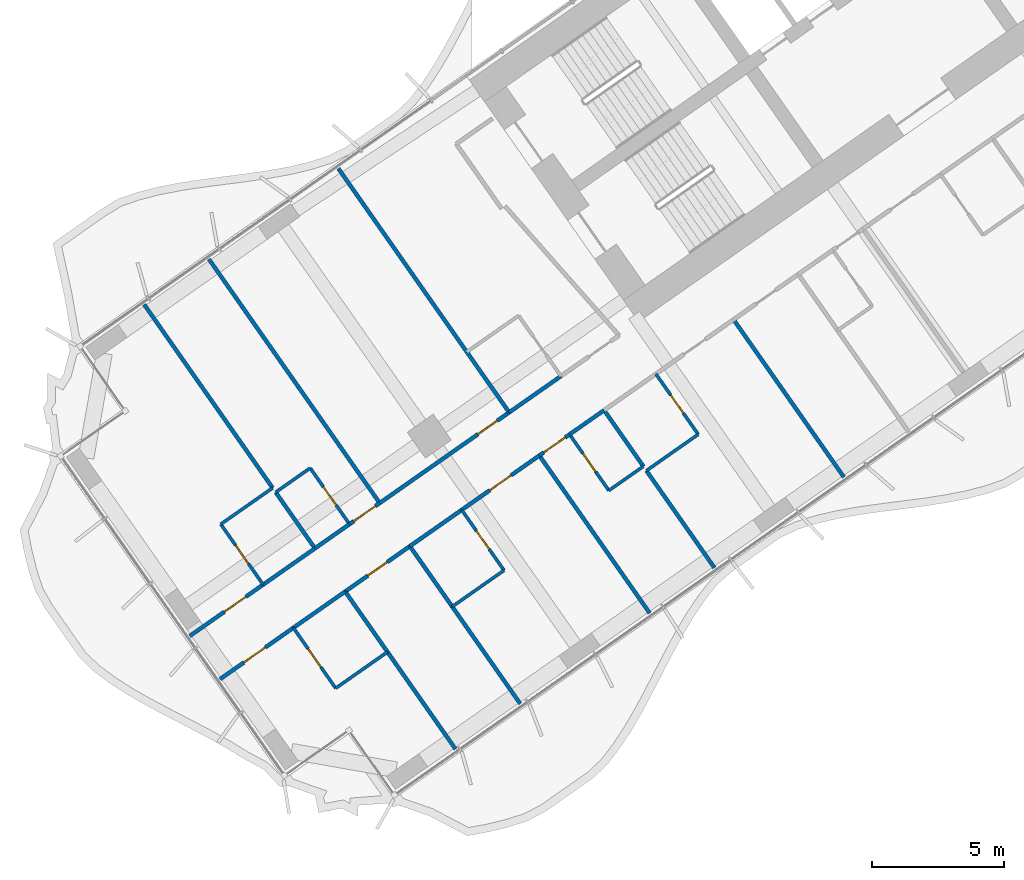
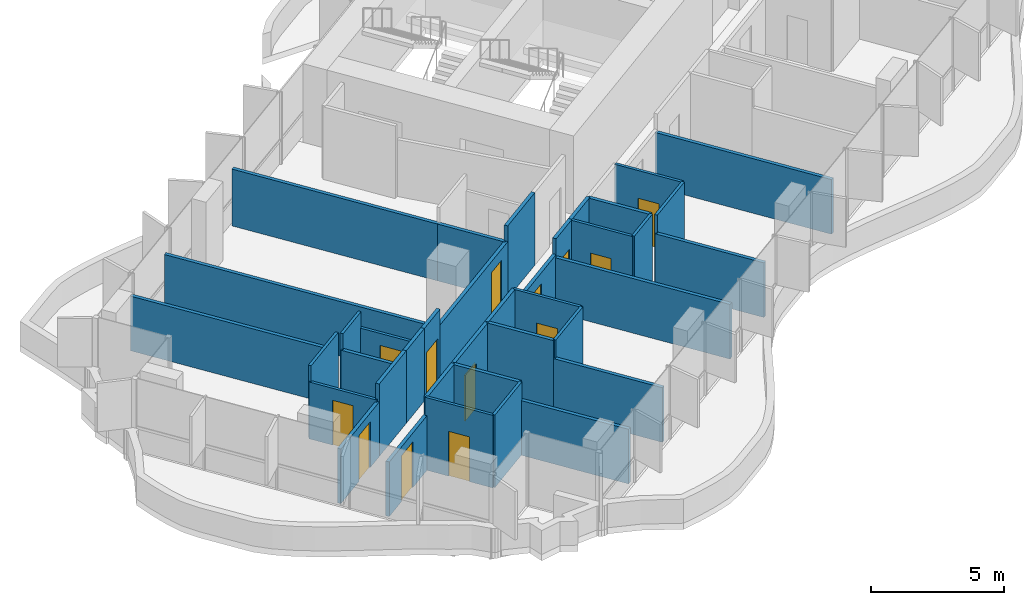
# One storey, part 13 of 25: 38 walls, 13 doors, 13 openings.
"""IFC4 building model written with IfcOpenShell, lengths in metres."""

from ifc_helpers import new_model, si_unit, direction, frame, frame_2d, origin, place, context, subcontext, project, spatial, rectangle, extrude, material, layer, layer_set, type_object, element, fill, save


model = new_model("IFC4")

# Units and contexts
model_context = context("Model", 3, precision=1e-05, world=origin(), true_north=direction((0.0, 1.0)))
body_context = subcontext(model_context, "Body", "Model", "MODEL_VIEW")
ifc_project = project(units=[si_unit("LENGTHUNIT", "METRE"), si_unit("AREAUNIT", "SQUARE_METRE"), si_unit("VOLUMEUNIT", "CUBIC_METRE"), si_unit("PLANEANGLEUNIT", "RADIAN"), si_unit("MASSUNIT", "GRAM", prefix="KILO")], contexts=[model_context])

# Site, building, storey
site_placement = place(None, origin())
site = spatial("IfcSite", under=ifc_project, at=site_placement, CompositionType="ELEMENT")
building_placement = place(site_placement, origin())
building = spatial("IfcBuilding", under=site, at=building_placement, Name="Tel Ilan Convention Tower", CompositionType="ELEMENT")
storey_placement = place(building_placement, frame((0.0, 0.0, 54.5)))
storey = spatial("IfcBuildingStorey", under=building, at=storey_placement, Name="L08", CompositionType="ELEMENT", Elevation=54.5)

# Wall
ifc_material_1 = material(Name="Plasterboard on Steel Studs", Category="steel")
ifc_layer_1 = layer(ifc_material_1, 0.14990234375)
ifc_layer_set_1 = layer_set([ifc_layer_1], Name="Fire-rated Partition 150 EI 60")
wall_type_1 = type_object("IfcWallType", Name="Fire-rated Partition 150 EI 60", PredefinedType="PARTITIONING", material=ifc_layer_set_1)
wall_1_placement = place(storey_placement, frame((-26.460205078125, -19.748291015625, 0.0), z_axis=(0.0, 0.0, 1.0), x_axis=(0.819179439794, 0.573537309527, 0.0)))
element("IfcWall", 1, at=wall_1_placement, inside=storey, type_object=wall_type_1, Name="Partition 029", PredefinedType="PARTITIONING", context=body_context, shape_type="SweptSolid", body=[
    extrude(rectangle(XDim=2.404296875, YDim=0.14990234375, at=frame_2d((1.2021484375, 0.0))), origin(), (0.0, 0.0, 1.0), 3.320068359375),
])

# Wall, opening, door
wall_2_placement = place(storey_placement, frame((-31.375, -23.189697265625, 0.0), z_axis=(0.0, 0.0, 1.0), x_axis=(0.819165052243, 0.573557858619, 0.0)))
wall_2 = element("IfcWall", 2, at=wall_2_placement, inside=storey, type_object=wall_type_1, Name="Partition 030", PredefinedType="PARTITIONING", context=body_context, shape_type="SweptSolid", body=[
    extrude(rectangle(XDim=6.00390625, YDim=0.14990234375, at=frame_2d((3.001953125, 0.0))), origin(), (0.0, 0.0, 1.0), 2.60009765625),
])
opening_1_placement = place(wall_2_placement, frame((4.552001953125, 0.0, 0.0)))
opening_1 = element("IfcOpeningElement", 3, at=opening_1_placement, cuts=wall_2, Name="Opening L08-019", PredefinedType="OPENING", context=body_context, shape_type="SweptSolid", body=[
    extrude(rectangle(XDim=0.89990234375, YDim=2.10009765625, at=frame_2d((0.449951171875, 1.050048828125))), frame((0.0, 0.0849609375, 0.0), z_axis=(0.0, -1.0, 0.0), x_axis=(1.0, 0.0, 0.0)), (0.0, 0.0, 1.0), 0.169921875),
])
ifc_material_2 = material(Name="Timber Door Leaf in Steel Frame", Category="steel")
door_type_1 = type_object("IfcDoorType", Name="Room Fire Door 900x2100", OperationType="NOTDEFINED", PredefinedType="DOOR", material=ifc_material_2)
door_1_placement = place(opening_1_placement, origin())
door_1 = element("IfcDoor", 4, at=door_1_placement, inside=storey, type_object=door_type_1, Name="Door L08-019", OperationType="SINGLE_SWING_LEFT", OverallHeight=2.10009765625, OverallWidth=0.89990234375, PredefinedType="DOOR", context=body_context, shape_type="SweptSolid", body=[
    extrude(rectangle(XDim=0.89990234375, YDim=2.10009765625, at=frame_2d((0.449951171875, 1.050048828125))), frame((0.0, 0.02490234375, 0.0), z_axis=(0.0, -1.0, 0.0), x_axis=(1.0, 0.0, 0.0)), (0.0, 0.0, 1.0), 0.050048828125),
])
fill(opening_1, door_1)

wall_3_placement = place(storey_placement, frame((-32.52099609375, -23.9921875, 0.0), z_axis=(0.0, 0.0, 1.0), x_axis=(0.819199220913, 0.573509055252, 0.0)))
wall_3 = element("IfcWall", 5, at=wall_3_placement, inside=storey, type_object=wall_type_1, Name="Partition 031", PredefinedType="PARTITIONING", context=body_context, shape_type="SweptSolid", body=[
    extrude(rectangle(XDim=1.403076171875, YDim=0.14990234375, at=frame_2d((0.70166015625, 0.0))), origin(), (0.0, 0.0, 1.0), 3.320068359375),
])
opening_2_placement = place(wall_3_placement, frame((0.200927734375, 0.0, 0.0)))
opening_2 = element("IfcOpeningElement", 6, at=opening_2_placement, cuts=wall_3, Name="Opening L08-021", PredefinedType="OPENING", context=body_context, shape_type="SweptSolid", body=[
    extrude(rectangle(XDim=1.0, YDim=2.10009765625, at=frame_2d((0.5, 1.050048828125))), frame((0.0, 0.0849609375, 0.0), z_axis=(0.0, -1.0, 0.0), x_axis=(1.0, 0.0, 0.0)), (0.0, 0.0, 1.0), 0.169921875),
])
ifc_material_3 = material(Name="Timber Door Leaf in Steel Frame", Category="steel")
door_type_2 = type_object("IfcDoorType", Name="Hotel Room Entrance Fire Door 1000x2100", OperationType="NOTDEFINED", PredefinedType="DOOR", material=ifc_material_3)
door_2_placement = place(opening_2_placement, origin())
door_2 = element("IfcDoor", 7, at=door_2_placement, inside=storey, type_object=door_type_2, Name="Door L08-021", OperationType="SINGLE_SWING_RIGHT", OverallHeight=2.10009765625, OverallWidth=1.0, PredefinedType="DOOR", context=body_context, shape_type="SweptSolid", body=[
    extrude(rectangle(XDim=1.0, YDim=2.10009765625, at=frame_2d((0.5, 1.050048828125))), frame((0.0, 0.02490234375, 0.0), z_axis=(0.0, -1.0, 0.0), x_axis=(1.0, 0.0, 0.0)), (0.0, 0.0, 1.0), 0.050048828125),
])
fill(opening_2, door_2)

# Wall
wall_4_placement = place(storey_placement, frame((-33.83251953125, -24.910400390625, 0.0), z_axis=(0.0, 0.0, 1.0), x_axis=(0.819189013667, 0.573523634986, 0.0)))
element("IfcWall", 8, at=wall_4_placement, inside=storey, type_object=wall_type_1, Name="Partition 032", PredefinedType="PARTITIONING", context=body_context, shape_type="SweptSolid", body=[
    extrude(rectangle(XDim=1.60400390625, YDim=0.14990234375, at=frame_2d((0.802001953125, 0.0))), origin(), (0.0, 0.0, 1.0), 3.320068359375),
])

# Wall, opening, door
wall_5_placement = place(storey_placement, frame((-38.581787109375, -28.236083984375, 0.0), z_axis=(0.0, 0.0, 1.0), x_axis=(0.819154345195, 0.573573150303, 0.0)))
wall_5 = element("IfcWall", 9, at=wall_5_placement, inside=storey, type_object=wall_type_1, Name="Partition 033", PredefinedType="PARTITIONING", context=body_context, shape_type="SweptSolid", body=[
    extrude(rectangle(XDim=3.40087890625, YDim=0.14990234375, at=frame_2d((1.700439453125, 0.0))), origin(), (0.0, 0.0, 1.0), 2.5),
])
opening_3_placement = place(wall_5_placement, frame((1.60009765625, 0.0, 0.0)))
opening_3 = element("IfcOpeningElement", 10, at=opening_3_placement, cuts=wall_5, Name="Opening L08-023", PredefinedType="OPENING", context=body_context, shape_type="SweptSolid", body=[
    extrude(rectangle(XDim=1.0, YDim=2.10009765625, at=frame_2d((0.5, 1.050048828125))), frame((0.0, 0.0849609375, 0.0), z_axis=(0.0, -1.0, 0.0), x_axis=(1.0, 0.0, 0.0)), (0.0, 0.0, 1.0), 0.169921875),
])
door_3_placement = place(opening_3_placement, origin())
door_3 = element("IfcDoor", 11, at=door_3_placement, inside=storey, type_object=door_type_2, Name="Door L08-023", OperationType="SINGLE_SWING_LEFT", OverallHeight=2.10009765625, OverallWidth=1.0, PredefinedType="DOOR", context=body_context, shape_type="SweptSolid", body=[
    extrude(rectangle(XDim=1.0, YDim=2.10009765625, at=frame_2d((0.5, 1.050048828125))), frame((0.0, 0.02490234375, 0.0), z_axis=(0.0, -1.0, 0.0), x_axis=(1.0, 0.0, 0.0)), (0.0, 0.0, 1.0), 0.050048828125),
])
fill(opening_3, door_3)

# Wall
wall_6_placement = place(storey_placement, frame((-35.79833984375, -26.287109375, 0.0), z_axis=(0.0, 0.0, 1.0), x_axis=(0.819146032251, 0.573585022335, 0.0)))
element("IfcWall", 12, at=wall_6_placement, inside=storey, type_object=wall_type_1, Name="Partition 034", PredefinedType="PARTITIONING", context=body_context, shape_type="SweptSolid", body=[
    extrude(rectangle(XDim=2.404052734375, YDim=0.14990234375, at=frame_2d((1.2021484375, 0.0))), origin(), (0.0, 0.0, 1.0), 3.320068359375),
])

# Wall, opening, door
wall_7_placement = place(storey_placement, frame((-24.163818359375, -20.581787109375, 0.0), z_axis=(0.0, 0.0, 1.0), x_axis=(-0.819060210533, -0.573707566205, 0.0)))
wall_7 = element("IfcWall", 13, at=wall_7_placement, inside=storey, type_object=wall_type_1, Name="Partition 044", PredefinedType="PARTITIONING", context=body_context, shape_type="SweptSolid", body=[
    extrude(rectangle(XDim=1.403076171875, YDim=0.14990234375, at=frame_2d((0.70166015625, 0.0))), origin(), (0.0, 0.0, 1.0), 3.320068359375),
])
opening_4_placement = place(wall_7_placement, frame((0.200927734375, 0.0, 0.0)))
opening_4 = element("IfcOpeningElement", 14, at=opening_4_placement, cuts=wall_7, Name="Opening L08-011", PredefinedType="OPENING", context=body_context, shape_type="SweptSolid", body=[
    extrude(rectangle(XDim=1.0, YDim=2.10009765625, at=frame_2d((0.5, 1.050048828125))), frame((0.0, 0.0849609375, 0.0), z_axis=(0.0, -1.0, 0.0), x_axis=(1.0, 0.0, 0.0)), (0.0, 0.0, 1.0), 0.169921875),
])
door_4_placement = place(opening_4_placement, origin())
door_4 = element("IfcDoor", 15, at=door_4_placement, inside=storey, type_object=door_type_2, Name="Door L08-011", OperationType="SINGLE_SWING_RIGHT", OverallHeight=2.10009765625, OverallWidth=1.0, PredefinedType="DOOR", context=body_context, shape_type="SweptSolid", body=[
    extrude(rectangle(XDim=1.0, YDim=2.10009765625, at=frame_2d((0.5, 1.050048828125))), frame((0.0, 0.02490234375, 0.0), z_axis=(0.0, -1.0, 0.0), x_axis=(1.0, 0.0, 0.0)), (0.0, 0.0, 1.0), 0.050048828125),
])
fill(opening_4, door_4)

# Wall
wall_8_placement = place(storey_placement, frame((-22.852294921875, -19.66357421875, 0.0), z_axis=(0.0, 0.0, 1.0), x_axis=(-0.819138938282, -0.573595153214, 0.0)))
element("IfcWall", 16, at=wall_8_placement, inside=storey, type_object=wall_type_1, Name="Partition 045", PredefinedType="PARTITIONING", context=body_context, shape_type="SweptSolid", body=[
    extrude(rectangle(XDim=1.603759765625, YDim=0.14990234375, at=frame_2d((0.8017578125, 0.0))), origin(), (0.0, 0.0, 1.0), 3.320068359375),
])

# Wall, opening, door
wall_9_placement = place(storey_placement, frame((-25.3095703125, -21.38427734375, 0.0), z_axis=(0.0, 0.0, 1.0), x_axis=(-0.819145961204, -0.573585123798, 0.0)))
wall_9 = element("IfcWall", 17, at=wall_9_placement, inside=storey, type_object=wall_type_1, Name="Partition 046", PredefinedType="PARTITIONING", context=body_context, shape_type="SweptSolid", body=[
    extrude(rectangle(XDim=3.60302734375, YDim=0.14990234375, at=frame_2d((1.801513671875, 0.0))), origin(), (0.0, 0.0, 1.0), 2.60009765625),
])
opening_5_placement = place(wall_9_placement, frame((1.302001953125, 0.0, 0.0)))
opening_5 = element("IfcOpeningElement", 18, at=opening_5_placement, cuts=wall_9, Name="Opening L08-013", PredefinedType="OPENING", context=body_context, shape_type="SweptSolid", body=[
    extrude(rectangle(XDim=1.0, YDim=2.10009765625, at=frame_2d((0.5, 1.050048828125))), frame((0.0, 0.0849609375, 0.0), z_axis=(0.0, -1.0, 0.0), x_axis=(1.0, 0.0, 0.0)), (0.0, 0.0, 1.0), 0.169921875),
])
door_5_placement = place(opening_5_placement, origin())
door_5 = element("IfcDoor", 19, at=door_5_placement, inside=storey, type_object=door_type_2, Name="Door L08-013", OperationType="SINGLE_SWING_LEFT", OverallHeight=2.10009765625, OverallWidth=1.0, PredefinedType="DOOR", context=body_context, shape_type="SweptSolid", body=[
    extrude(rectangle(XDim=1.0, YDim=2.10009765625, at=frame_2d((0.5, 1.050048828125))), frame((0.0, 0.02490234375, 0.0), z_axis=(0.0, -1.0, 0.0), x_axis=(1.0, 0.0, 0.0)), (0.0, 0.0, 1.0), 0.050048828125),
])
fill(opening_5, door_5)

# Wall
wall_10_placement = place(storey_placement, frame((-28.258544921875, -23.44921875, 0.0), z_axis=(0.0, 0.0, 1.0), x_axis=(-0.819146032251, -0.573585022335, 0.0)))
element("IfcWall", 20, at=wall_10_placement, inside=storey, type_object=wall_type_1, Name="Partition 047", PredefinedType="PARTITIONING", context=body_context, shape_type="SweptSolid", body=[
    extrude(rectangle(XDim=2.404052734375, YDim=0.14990234375, at=frame_2d((1.2021484375, 0.0))), origin(), (0.0, 0.0, 1.0), 3.320068359375),
])

# Wall, opening, door
wall_11_placement = place(storey_placement, frame((-30.224609375, -24.82568359375, 0.0), z_axis=(0.0, 0.0, 1.0), x_axis=(-0.819128818764, -0.573609604409, 0.0)))
wall_11 = element("IfcWall", 21, at=wall_11_placement, inside=storey, type_object=wall_type_1, Name="Partition 048", PredefinedType="PARTITIONING", context=body_context, shape_type="SweptSolid", body=[
    extrude(rectangle(XDim=3.004150390625, YDim=0.14990234375, at=frame_2d((1.501953125, 0.0))), origin(), (0.0, 0.0, 1.0), 3.320068359375),
])
opening_6_placement = place(wall_11_placement, frame((1.052001953125, 0.0, 0.0)))
opening_6 = element("IfcOpeningElement", 22, at=opening_6_placement, cuts=wall_11, Name="Opening L08-014", PredefinedType="OPENING", context=body_context, shape_type="SweptSolid", body=[
    extrude(rectangle(XDim=0.89990234375, YDim=2.10009765625, at=frame_2d((0.449951171875, 1.050048828125))), frame((0.0, 0.0849609375, 0.0), z_axis=(0.0, -1.0, 0.0), x_axis=(1.0, 0.0, 0.0)), (0.0, 0.0, 1.0), 0.169921875),
])
door_6_placement = place(opening_6_placement, origin())
door_6 = element("IfcDoor", 23, at=door_6_placement, inside=storey, type_object=door_type_1, Name="Door L08-014", OperationType="SINGLE_SWING_LEFT", OverallHeight=2.10009765625, OverallWidth=0.89990234375, PredefinedType="DOOR", context=body_context, shape_type="SweptSolid", body=[
    extrude(rectangle(XDim=0.89990234375, YDim=2.10009765625, at=frame_2d((0.449951171875, 1.050048828125))), frame((0.0, 0.02490234375, 0.0), z_axis=(0.0, -1.0, 0.0), x_axis=(1.0, 0.0, 0.0)), (0.0, 0.0, 1.0), 0.050048828125),
])
fill(opening_6, door_6)

wall_12_placement = place(storey_placement, frame((-34.648681640625, -27.923583984375, 0.0), z_axis=(0.0, 0.0, 1.0), x_axis=(-0.819144234337, -0.573587589957, 0.0)))
wall_12 = element("IfcWall", 24, at=wall_12_placement, inside=storey, type_object=wall_type_1, Name="Partition 049", PredefinedType="PARTITIONING", context=body_context, shape_type="SweptSolid", body=[
    extrude(rectangle(XDim=3.4013671875, YDim=0.14990234375, at=frame_2d((1.70068359375, 0.0))), origin(), (0.0, 0.0, 1.0), 2.5),
])
opening_7_placement = place(wall_12_placement, frame((1.301025390625, 0.0, 0.0)))
opening_7 = element("IfcOpeningElement", 25, at=opening_7_placement, cuts=wall_12, Name="Opening L08-016", PredefinedType="OPENING", context=body_context, shape_type="SweptSolid", body=[
    extrude(rectangle(XDim=1.0, YDim=2.10009765625, at=frame_2d((0.5, 1.050048828125))), frame((0.0, 0.0849609375, 0.0), z_axis=(0.0, -1.0, 0.0), x_axis=(1.0, 0.0, 0.0)), (0.0, 0.0, 1.0), 0.169921875),
])
door_7_placement = place(opening_7_placement, origin())
door_7 = element("IfcDoor", 26, at=door_7_placement, inside=storey, type_object=door_type_2, Name="Door L08-016", OperationType="SINGLE_SWING_RIGHT", OverallHeight=2.10009765625, OverallWidth=1.0, PredefinedType="DOOR", context=body_context, shape_type="SweptSolid", body=[
    extrude(rectangle(XDim=1.0, YDim=2.10009765625, at=frame_2d((0.5, 1.050048828125))), frame((0.0, 0.02490234375, 0.0), z_axis=(0.0, -1.0, 0.0), x_axis=(1.0, 0.0, 0.0)), (0.0, 0.0, 1.0), 0.050048828125),
])
fill(opening_7, door_7)

# Walls
wall_13_placement = place(storey_placement, frame((-32.681884765625, -26.54638671875, 0.0), z_axis=(0.0, 0.0, 1.0), x_axis=(-0.819179439794, -0.573537309527, 0.0)))
element("IfcWall", 27, at=wall_13_placement, inside=storey, type_object=wall_type_1, Name="Partition 050", PredefinedType="PARTITIONING", context=body_context, shape_type="SweptSolid", body=[
    extrude(rectangle(XDim=2.404296875, YDim=0.14990234375, at=frame_2d((1.2021484375, 0.0))), origin(), (0.0, 0.0, 1.0), 3.320068359375),
])
wall_14_placement = place(storey_placement, frame((-28.06494140625, -17.45263671875, 0.0), z_axis=(0.0, 0.0, 1.0), x_axis=(-0.573593433868, 0.819140142237, 0.0)))
element("IfcWall", 28, at=wall_14_placement, inside=storey, type_object=wall_type_1, Name="Partition 107", PredefinedType="PARTITIONING", context=body_context, shape_type="SweptSolid", body=[
    extrude(rectangle(XDim=8.4990234375, YDim=0.14990234375, at=frame_2d((4.24951171875, 0.0))), origin(), (0.0, 0.0, 1.0), 2.60009765625),
])
wall_15_placement = place(storey_placement, frame((-26.45849609375, -19.747314453125, 0.0), z_axis=(0.0, 0.0, 1.0), x_axis=(-0.573550118428, 0.819170471667, 0.0)))
element("IfcWall", 29, at=wall_15_placement, inside=storey, type_object=wall_type_1, Name="Partition 108", PredefinedType="PARTITIONING", context=body_context, shape_type="SweptSolid", body=[
    extrude(rectangle(XDim=2.800048828125, YDim=0.14990234375, at=frame_2d((1.39990234375, 0.0))), origin(), (0.0, 0.0, 1.0), 2.60009765625),
])
wall_16_placement = place(storey_placement, frame((-31.373291015625, -23.188720703125, 0.0), z_axis=(0.0, 0.0, 1.0), x_axis=(-0.573571089604, 0.819155788095, 0.0)))
element("IfcWall", 30, at=wall_16_placement, inside=storey, type_object=wall_type_1, Name="Partition 109", PredefinedType="PARTITIONING", context=body_context, shape_type="SweptSolid", body=[
    extrude(rectangle(XDim=11.300048828125, YDim=0.14990234375, at=frame_2d((5.64990234375, 0.0))), origin(), (0.0, 0.0, 1.0), 2.5),
])
wall_17_placement = place(storey_placement, frame((-35.436279296875, -22.61669921875, 0.0), z_axis=(0.0, 0.0, 1.0), x_axis=(-0.57356256513, 0.819161756848, 0.0)))
element("IfcWall", 31, at=wall_17_placement, inside=storey, type_object=wall_type_1, Name="Partition 112", PredefinedType="PARTITIONING", context=body_context, shape_type="SweptSolid", body=[
    extrude(rectangle(XDim=8.501220703125, YDim=0.14990234375, at=frame_2d((4.25048828125, 0.0))), origin(), (0.0, 0.0, 1.0), 2.5),
])
wall_18_placement = place(storey_placement, frame((-33.830810546875, -24.909423828125, 0.0), z_axis=(0.0, 0.0, 1.0), x_axis=(-0.573537965655, 0.819178980414, 0.0)))
element("IfcWall", 32, at=wall_18_placement, inside=storey, type_object=wall_type_1, Name="Partition 113", PredefinedType="PARTITIONING", context=body_context, shape_type="SweptSolid", body=[
    extrude(rectangle(XDim=2.60009765625, YDim=0.14990234375, at=frame_2d((1.300048828125, 0.0))), origin(), (0.0, 0.0, 1.0), 2.60009765625),
])
wall_19_placement = place(storey_placement, frame((-13.751708984375, -22.203125, 0.0), z_axis=(0.0, 0.0, 1.0), x_axis=(-0.573594765376, 0.819139209862, 0.0)))
element("IfcWall", 33, at=wall_19_placement, inside=storey, type_object=wall_type_1, Name="Partition 127", PredefinedType="PARTITIONING", context=body_context, shape_type="SweptSolid", body=[
    extrude(rectangle(XDim=7.300048828125, YDim=0.14990234375, at=frame_2d((3.64990234375, 0.0))), origin(), (0.0, 0.0, 1.0), 2.5),
])
wall_20_placement = place(storey_placement, frame((-18.666748046875, -25.64453125, 0.0), z_axis=(0.0, 0.0, 1.0), x_axis=(-0.573589807488, 0.819142681555, 0.0)))
element("IfcWall", 34, at=wall_20_placement, inside=storey, type_object=wall_type_1, Name="Partition 130", PredefinedType="PARTITIONING", context=body_context, shape_type="SweptSolid", body=[
    extrude(rectangle(XDim=4.4990234375, YDim=0.14990234375, at=frame_2d((2.24951171875, 0.0))), origin(), (0.0, 0.0, 1.0), 2.5),
])
wall_21_placement = place(storey_placement, frame((-21.361328125, -21.796142578125, 0.0), z_axis=(0.0, 0.0, 1.0), x_axis=(-0.573588285102, 0.819143747577, 0.0)))
element("IfcWall", 35, at=wall_21_placement, inside=storey, type_object=wall_type_1, Name="Partition 131", PredefinedType="PARTITIONING", context=body_context, shape_type="SweptSolid", body=[
    extrude(rectangle(XDim=2.601806640625, YDim=0.14990234375, at=frame_2d((1.30078125, 0.0))), origin(), (0.0, 0.0, 1.0), 3.320068359375),
])
wall_22_placement = place(storey_placement, frame((-21.124267578125, -27.365234375, 0.0), z_axis=(0.0, 0.0, 1.0), x_axis=(-0.573572324301, 0.819154923562, 0.0)))
element("IfcWall", 36, at=wall_22_placement, inside=storey, type_object=wall_type_1, Name="Partition 134", PredefinedType="PARTITIONING", context=body_context, shape_type="SweptSolid", body=[
    extrude(rectangle(XDim=7.2998046875, YDim=0.14990234375, at=frame_2d((3.64990234375, 0.0))), origin(), (0.0, 0.0, 1.0), 2.5),
])
wall_23_placement = place(storey_placement, frame((-26.0390625, -30.806640625, 0.0), z_axis=(0.0, 0.0, 1.0), x_axis=(-0.573589807488, 0.819142681555, 0.0)))
element("IfcWall", 37, at=wall_23_placement, inside=storey, type_object=wall_type_1, Name="Partition 137", PredefinedType="PARTITIONING", context=body_context, shape_type="SweptSolid", body=[
    extrude(rectangle(XDim=4.4990234375, YDim=0.14990234375, at=frame_2d((2.24951171875, 0.0))), origin(), (0.0, 0.0, 1.0), 2.5),
])
wall_24_placement = place(storey_placement, frame((-28.6201171875, -27.12060546875, 0.0), z_axis=(0.0, 0.0, 1.0), x_axis=(-0.573608623498, 0.819129505664, 0.0)))
element("IfcWall", 38, at=wall_24_placement, inside=storey, type_object=wall_type_1, Name="Partition 138", PredefinedType="PARTITIONING", context=body_context, shape_type="SweptSolid", body=[
    extrude(rectangle(XDim=2.800048828125, YDim=0.14990234375, at=frame_2d((1.39990234375, 0.0))), origin(), (0.0, 0.0, 1.0), 3.320068359375),
])
wall_25_placement = place(storey_placement, frame((-28.49658203125, -32.527587890625, 0.0), z_axis=(0.0, 0.0, 1.0), x_axis=(-0.573556991349, 0.819165659482, 0.0)))
element("IfcWall", 39, at=wall_25_placement, inside=storey, type_object=wall_type_1, Name="Partition 139", PredefinedType="PARTITIONING", context=body_context, shape_type="SweptSolid", body=[
    extrude(rectangle(XDim=4.5009765625, YDim=0.14990234375, at=frame_2d((2.25048828125, 0.0))), origin(), (0.0, 0.0, 1.0), 2.5),
])
wall_26_placement = place(storey_placement, frame((-31.076416015625, -28.843017578125, 0.0), z_axis=(0.0, 0.0, 1.0), x_axis=(-0.573555899632, 0.819166423871, 0.0)))
element("IfcWall", 40, at=wall_26_placement, inside=storey, type_object=wall_type_1, Name="Partition 140", PredefinedType="PARTITIONING", context=body_context, shape_type="SweptSolid", body=[
    extrude(rectangle(XDim=2.80224609375, YDim=0.14990234375, at=frame_2d((1.401123046875, 0.0))), origin(), (0.0, 0.0, 1.0), 3.320068359375),
])

# Wall, opening, door
ifc_material_4 = material(Name="Plasterboard on Steel Studs", Category="steel")
ifc_layer_2 = layer(ifc_material_4, 0.1201171875)
ifc_layer_set_2 = layer_set([ifc_layer_2], Name="Moisture-resistant Partition 120")
wall_type_2 = type_object("IfcWallType", Name="Moisture-resistant Partition 120", PredefinedType="PARTITIONING", material=ifc_layer_set_2)
wall_27_placement = place(storey_placement, frame((-32.519287109375, -23.9912109375, 0.0), z_axis=(0.0, 0.0, 1.0), x_axis=(-0.573537965655, 0.819178980414, 0.0)))
wall_27 = element("IfcWall", 41, at=wall_27_placement, inside=storey, type_object=wall_type_2, Name="Partition 110", PredefinedType="PARTITIONING", context=body_context, shape_type="SweptSolid", body=[
    extrude(rectangle(XDim=2.60009765625, YDim=0.1201171875, at=frame_2d((1.300048828125, 0.0))), origin(), (0.0, 0.0, 1.0), 2.60009765625),
])
opening_8_placement = place(wall_27_placement, frame((0.875, 0.0, 0.0)))
opening_8 = element("IfcOpeningElement", 42, at=opening_8_placement, cuts=wall_27, Name="Opening L08-020", PredefinedType="OPENING", context=body_context, shape_type="SweptSolid", body=[
    extrude(rectangle(XDim=0.85009765625, YDim=2.050048828125, at=frame_2d((0.425048828125, 1.02490234375))), frame((0.0, 0.070068359375, 0.0), z_axis=(0.0, -1.0, 0.0), x_axis=(1.0, 0.0, 0.0)), (0.0, 0.0, 1.0), 0.14013671875),
])
ifc_material_5 = material(Name="Timber Door Leaf in Steel Frame", Category="steel")
door_type_3 = type_object("IfcDoorType", Name="Bathroom Timber Door 850x2050", OperationType="NOTDEFINED", PredefinedType="DOOR", material=ifc_material_5)
door_8_placement = place(opening_8_placement, origin())
door_8 = element("IfcDoor", 43, at=door_8_placement, inside=storey, type_object=door_type_3, Name="Door L08-020", OperationType="SINGLE_SWING_LEFT", OverallHeight=2.050048828125, OverallWidth=0.85009765625, PredefinedType="DOOR", context=body_context, shape_type="SweptSolid", body=[
    extrude(rectangle(XDim=0.85009765625, YDim=2.050048828125, at=frame_2d((0.425048828125, 1.02490234375))), frame((0.0, 0.02490234375, 0.0), z_axis=(0.0, -1.0, 0.0), x_axis=(1.0, 0.0, 0.0)), (0.0, 0.0, 1.0), 0.050048828125),
])
fill(opening_8, door_8)

# Walls
wall_28_placement = place(storey_placement, frame((-34.011962890625, -21.861083984375, 0.0), z_axis=(0.0, 0.0, 1.0), x_axis=(-0.81918174131, -0.573534022273, 0.0)))
element("IfcWall", 44, at=wall_28_placement, inside=storey, type_object=wall_type_2, Name="Partition 111", PredefinedType="PARTITIONING", context=body_context, shape_type="SweptSolid", body=[
    extrude(rectangle(XDim=1.60009765625, YDim=0.1201171875, at=frame_2d((0.800048828125, 0.0))), origin(), (0.0, 0.0, 1.0), 3.320068359375),
])
wall_29_placement = place(storey_placement, frame((-35.4375, -22.614990234375, 0.0), z_axis=(0.0, 0.0, 1.0), x_axis=(-0.819155442668, -0.573571582932, 0.0)))
element("IfcWall", 45, at=wall_29_placement, inside=storey, type_object=wall_type_2, Name="Partition 114", PredefinedType="PARTITIONING", context=body_context, shape_type="SweptSolid", body=[
    extrude(rectangle(XDim=2.39990234375, YDim=0.1201171875, at=frame_2d((1.199951171875, 0.0))), origin(), (0.0, 0.0, 1.0), 3.320068359375),
])

# Wall, opening, door
wall_30_placement = place(storey_placement, frame((-37.403564453125, -23.992919921875, 0.0), z_axis=(0.0, 0.0, 1.0), x_axis=(0.573550118428, -0.819170471667, 0.0)))
wall_30 = element("IfcWall", 46, at=wall_30_placement, inside=storey, type_object=wall_type_2, Name="Partition 115", PredefinedType="PARTITIONING", context=body_context, shape_type="SweptSolid", body=[
    extrude(rectangle(XDim=2.800048828125, YDim=0.1201171875, at=frame_2d((1.39990234375, 0.0))), origin(), (0.0, 0.0, 1.0), 2.60009765625),
])
opening_9_placement = place(wall_30_placement, frame((0.97509765625, 0.0, 0.0)))
opening_9 = element("IfcOpeningElement", 47, at=opening_9_placement, cuts=wall_30, Name="Opening L08-022", PredefinedType="OPENING", context=body_context, shape_type="SweptSolid", body=[
    extrude(rectangle(XDim=0.85009765625, YDim=2.050048828125, at=frame_2d((0.425048828125, 1.02490234375))), frame((0.0, 0.070068359375, 0.0), z_axis=(0.0, -1.0, 0.0), x_axis=(1.0, 0.0, 0.0)), (0.0, 0.0, 1.0), 0.14013671875),
])
door_9_placement = place(opening_9_placement, origin())
door_9 = element("IfcDoor", 48, at=door_9_placement, inside=storey, type_object=door_type_3, Name="Door L08-022", OperationType="SINGLE_SWING_RIGHT", OverallHeight=2.050048828125, OverallWidth=0.85009765625, PredefinedType="DOOR", context=body_context, shape_type="SweptSolid", body=[
    extrude(rectangle(XDim=0.85009765625, YDim=2.050048828125, at=frame_2d((0.425048828125, 1.02490234375))), frame((0.0, 0.02490234375, 0.0), z_axis=(0.0, -1.0, 0.0), x_axis=(1.0, 0.0, 0.0)), (0.0, 0.0, 1.0), 0.050048828125),
])
fill(opening_9, door_9)

# Wall
wall_31_placement = place(storey_placement, frame((-21.247314453125, -21.959228515625, 0.0), z_axis=(0.0, 0.0, 1.0), x_axis=(0.819141114317, 0.573592045652, 0.0)))
element("IfcWall", 49, at=wall_31_placement, inside=storey, type_object=wall_type_2, Name="Partition 128", PredefinedType="PARTITIONING", context=body_context, shape_type="SweptSolid", body=[
    extrude(rectangle(XDim=2.400146484375, YDim=0.1201171875, at=frame_2d((1.2001953125, 0.0))), origin(), (0.0, 0.0, 1.0), 3.320068359375),
])

# Wall, opening, door
wall_32_placement = place(storey_placement, frame((-19.281005859375, -20.581298828125, 0.0), z_axis=(0.0, 0.0, 1.0), x_axis=(-0.573550118428, 0.819170471667, 0.0)))
wall_32 = element("IfcWall", 50, at=wall_32_placement, inside=storey, type_object=wall_type_2, Name="Partition 129", PredefinedType="PARTITIONING", context=body_context, shape_type="SweptSolid", body=[
    extrude(rectangle(XDim=2.800048828125, YDim=0.1201171875, at=frame_2d((1.39990234375, 0.0))), origin(), (0.0, 0.0, 1.0), 3.320068359375),
])
opening_10_placement = place(wall_32_placement, frame((0.97509765625, 0.0, 0.0)))
opening_10 = element("IfcOpeningElement", 51, at=opening_10_placement, cuts=wall_32, Name="Opening L08-008", PredefinedType="OPENING", context=body_context, shape_type="SweptSolid", body=[
    extrude(rectangle(XDim=0.85009765625, YDim=2.050048828125, at=frame_2d((0.425048828125, 1.02490234375))), frame((0.0, 0.070068359375, 0.0), z_axis=(0.0, -1.0, 0.0), x_axis=(1.0, 0.0, 0.0)), (0.0, 0.0, 1.0), 0.14013671875),
])
door_10_placement = place(opening_10_placement, origin())
door_10 = element("IfcDoor", 52, at=door_10_placement, inside=storey, type_object=door_type_3, Name="Door L08-008", OperationType="SINGLE_SWING_RIGHT", OverallHeight=2.050048828125, OverallWidth=0.85009765625, PredefinedType="DOOR", context=body_context, shape_type="SweptSolid", body=[
    extrude(rectangle(XDim=0.85009765625, YDim=2.050048828125, at=frame_2d((0.425048828125, 1.02490234375))), frame((0.0, 0.02490234375, 0.0), z_axis=(0.0, -1.0, 0.0), x_axis=(1.0, 0.0, 0.0)), (0.0, 0.0, 1.0), 0.050048828125),
])
fill(opening_10, door_10)

wall_33_placement = place(storey_placement, frame((-24.165283203125, -20.5830078125, 0.0), z_axis=(0.0, 0.0, 1.0), x_axis=(0.573537965655, -0.819178980414, 0.0)))
wall_33 = element("IfcWall", 53, at=wall_33_placement, inside=storey, type_object=wall_type_2, Name="Partition 132", PredefinedType="PARTITIONING", context=body_context, shape_type="SweptSolid", body=[
    extrude(rectangle(XDim=2.60009765625, YDim=0.1201171875, at=frame_2d((1.300048828125, 0.0))), origin(), (0.0, 0.0, 1.0), 3.320068359375),
])
opening_11_placement = place(wall_33_placement, frame((0.875, 0.0, 0.0)))
opening_11 = element("IfcOpeningElement", 54, at=opening_11_placement, cuts=wall_33, Name="Opening L08-010", PredefinedType="OPENING", context=body_context, shape_type="SweptSolid", body=[
    extrude(rectangle(XDim=0.85009765625, YDim=2.050048828125, at=frame_2d((0.425048828125, 1.02490234375))), frame((0.0, 0.070068359375, 0.0), z_axis=(0.0, -1.0, 0.0), x_axis=(1.0, 0.0, 0.0)), (0.0, 0.0, 1.0), 0.14013671875),
])
door_11_placement = place(opening_11_placement, origin())
door_11 = element("IfcDoor", 55, at=door_11_placement, inside=storey, type_object=door_type_3, Name="Door L08-010", OperationType="SINGLE_SWING_LEFT", OverallHeight=2.050048828125, OverallWidth=0.85009765625, PredefinedType="DOOR", context=body_context, shape_type="SweptSolid", body=[
    extrude(rectangle(XDim=0.85009765625, YDim=2.050048828125, at=frame_2d((0.425048828125, 1.02490234375))), frame((0.0, 0.02490234375, 0.0), z_axis=(0.0, -1.0, 0.0), x_axis=(1.0, 0.0, 0.0)), (0.0, 0.0, 1.0), 0.050048828125),
])
fill(opening_11, door_11)

# Walls
wall_34_placement = place(storey_placement, frame((-22.672607421875, -22.713134765625, 0.0), z_axis=(0.0, 0.0, 1.0), x_axis=(0.819131543282, 0.57360571371, 0.0)))
element("IfcWall", 56, at=wall_34_placement, inside=storey, type_object=wall_type_2, Name="Partition 133", PredefinedType="PARTITIONING", context=body_context, shape_type="SweptSolid", body=[
    extrude(rectangle(XDim=1.599853515625, YDim=0.1201171875, at=frame_2d((0.7998046875, 0.0))), origin(), (0.0, 0.0, 1.0), 3.320068359375),
])
wall_35_placement = place(storey_placement, frame((-28.61962890625, -27.121337890625, 0.0), z_axis=(0.0, 0.0, 1.0), x_axis=(0.819188907105, 0.573523787192, 0.0)))
element("IfcWall", 57, at=wall_35_placement, inside=storey, type_object=wall_type_2, Name="Partition 135", PredefinedType="PARTITIONING", context=body_context, shape_type="SweptSolid", body=[
    extrude(rectangle(XDim=2.39990234375, YDim=0.1201171875, at=frame_2d((1.199951171875, 0.0))), origin(), (0.0, 0.0, 1.0), 3.320068359375),
])

# Wall, opening, door
wall_36_placement = place(storey_placement, frame((-26.6533203125, -25.743408203125, 0.0), z_axis=(0.0, 0.0, 1.0), x_axis=(-0.573608623498, 0.819129505664, 0.0)))
wall_36 = element("IfcWall", 58, at=wall_36_placement, inside=storey, type_object=wall_type_2, Name="Partition 136", PredefinedType="PARTITIONING", context=body_context, shape_type="SweptSolid", body=[
    extrude(rectangle(XDim=2.800048828125, YDim=0.1201171875, at=frame_2d((1.39990234375, 0.0))), origin(), (0.0, 0.0, 1.0), 3.320068359375),
])
opening_12_placement = place(wall_36_placement, frame((0.97509765625, 0.0, 0.0)))
opening_12 = element("IfcOpeningElement", 59, at=opening_12_placement, cuts=wall_36, Name="Opening L08-012", PredefinedType="OPENING", context=body_context, shape_type="SweptSolid", body=[
    extrude(rectangle(XDim=0.85009765625, YDim=2.050048828125, at=frame_2d((0.425048828125, 1.02490234375))), frame((0.0, 0.070068359375, 0.0), z_axis=(0.0, -1.0, 0.0), x_axis=(1.0, 0.0, 0.0)), (0.0, 0.0, 1.0), 0.14013671875),
])
door_12_placement = place(opening_12_placement, origin())
door_12 = element("IfcDoor", 60, at=door_12_placement, inside=storey, type_object=door_type_3, Name="Door L08-012", OperationType="SINGLE_SWING_RIGHT", OverallHeight=2.050048828125, OverallWidth=0.85009765625, PredefinedType="DOOR", context=body_context, shape_type="SweptSolid", body=[
    extrude(rectangle(XDim=0.85009765625, YDim=2.050048828125, at=frame_2d((0.425048828125, 1.02490234375))), frame((0.0, 0.02490234375, 0.0), z_axis=(0.0, -1.0, 0.0), x_axis=(1.0, 0.0, 0.0)), (0.0, 0.0, 1.0), 0.050048828125),
])
fill(opening_12, door_12)

wall_37_placement = place(storey_placement, frame((-34.650390625, -27.9248046875, 0.0), z_axis=(0.0, 0.0, 1.0), x_axis=(0.573550118428, -0.819170471667, 0.0)))
wall_37 = element("IfcWall", 61, at=wall_37_placement, inside=storey, type_object=wall_type_2, Name="Partition 141", PredefinedType="PARTITIONING", context=body_context, shape_type="SweptSolid", body=[
    extrude(rectangle(XDim=2.800048828125, YDim=0.1201171875, at=frame_2d((1.39990234375, 0.0))), origin(), (0.0, 0.0, 1.0), 3.320068359375),
])
opening_13_placement = place(wall_37_placement, frame((0.97509765625, 0.0, 0.0)))
opening_13 = element("IfcOpeningElement", 62, at=opening_13_placement, cuts=wall_37, Name="Opening L08-015", PredefinedType="OPENING", context=body_context, shape_type="SweptSolid", body=[
    extrude(rectangle(XDim=0.85009765625, YDim=2.050048828125, at=frame_2d((0.425048828125, 1.02490234375))), frame((0.0, 0.070068359375, 0.0), z_axis=(0.0, -1.0, 0.0), x_axis=(1.0, 0.0, 0.0)), (0.0, 0.0, 1.0), 0.14013671875),
])
door_13_placement = place(opening_13_placement, origin())
door_13 = element("IfcDoor", 63, at=door_13_placement, inside=storey, type_object=door_type_3, Name="Door L08-015", OperationType="SINGLE_SWING_LEFT", OverallHeight=2.050048828125, OverallWidth=0.85009765625, PredefinedType="DOOR", context=body_context, shape_type="SweptSolid", body=[
    extrude(rectangle(XDim=0.85009765625, YDim=2.050048828125, at=frame_2d((0.425048828125, 1.02490234375))), frame((0.0, 0.02490234375, 0.0), z_axis=(0.0, -1.0, 0.0), x_axis=(1.0, 0.0, 0.0)), (0.0, 0.0, 1.0), 0.050048828125),
])
fill(opening_13, door_13)

# Wall
wall_38_placement = place(storey_placement, frame((-33.04296875, -30.21875, 0.0), z_axis=(0.0, 0.0, 1.0), x_axis=(0.819107643868, 0.573639841501, 0.0)))
element("IfcWall", 64, at=wall_38_placement, inside=storey, type_object=wall_type_2, Name="Partition 142", PredefinedType="PARTITIONING", context=body_context, shape_type="SweptSolid", body=[
    extrude(rectangle(XDim=2.39990234375, YDim=0.1201171875, at=frame_2d((1.199951171875, 0.0))), origin(), (0.0, 0.0, 1.0), 3.320068359375),
])

save(model, "model.ifc")
